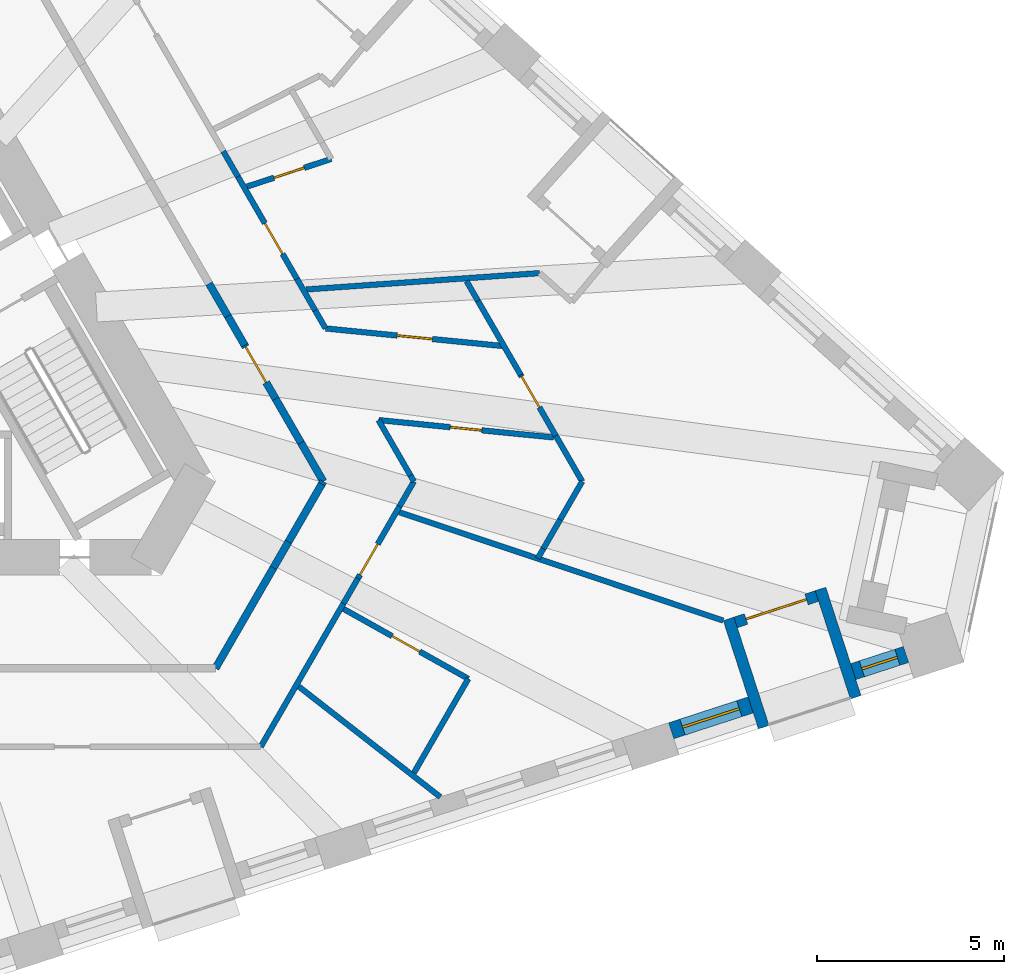
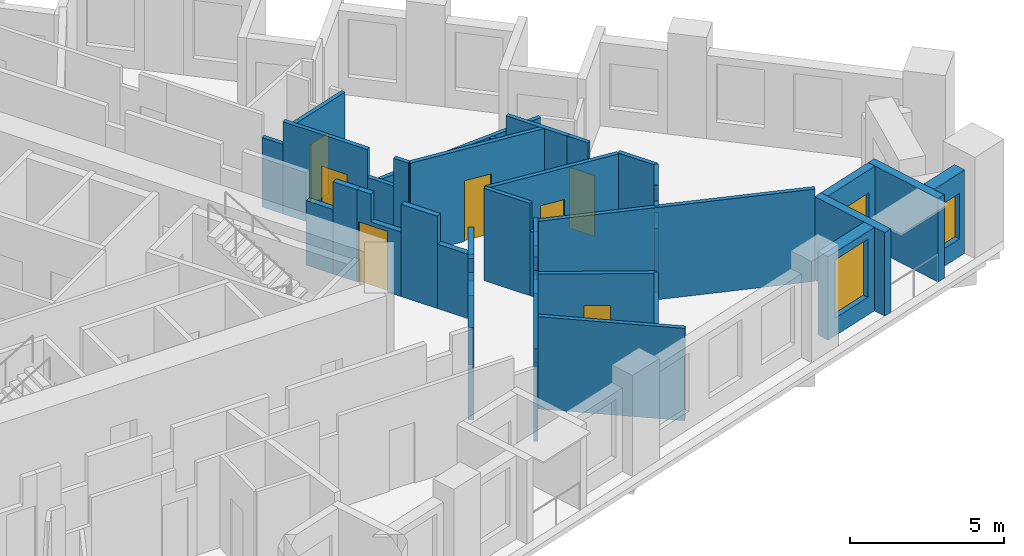
# One storey, part 6 of 13: 39 walls, 9 doors, 2 windows, 11 openings.
"""IFC4 building model written with IfcOpenShell, lengths in metres."""

import ifcopenshell
import ifcopenshell.guid

model = None  # the IFC model being written
_history = None  # IfcOwnerHistory: only IFC2X3 demands one
_inside = {}  # id of a spatial element -> (the spatial element, [elements in it])
_under = {}  # id of a project, library or spatial element -> (it, [spatial elements below it])
_declared = {}  # id of a project -> (the project, [libraries it declares])
_typed = {}  # id of a type object -> (the type object, [elements of that type])
_made_of = {}  # id of a material, layer set ... -> (it, [elements and type objects made of it])


def new_model(schema):
    """Start an empty IFC model of exactly this schema.

    Asked for "IFC4X3", IfcOpenShell would pick the latest addendum, in which some entities
    have other attributes; the version numbers below select the first issue.
    IFC2X3 requires an IfcOwnerHistory on every rooted entity: one is made here for all.
    """
    global model, _history
    if schema == "IFC4X3":
        model = ifcopenshell.file(schema_version=(4, 3, 0, 0))
    else:
        model = ifcopenshell.file(schema=schema)
    _inside.clear()
    _under.clear()
    _declared.clear()
    _typed.clear()
    _made_of.clear()
    _history = None
    if model.schema == "IFC2X3":
        org = make("IfcOrganization", Name="unknown")
        user = make(
            "IfcPersonAndOrganization",
            ThePerson=make("IfcPerson", FamilyName="unknown"),
            TheOrganization=org,
        )
        app = make(
            "IfcApplication",
            ApplicationDeveloper=org,
            Version="unknown",
            ApplicationFullName="unknown",
            ApplicationIdentifier="unknown",
        )
        _history = make(
            "IfcOwnerHistory",
            OwningUser=user,
            OwningApplication=app,
            ChangeAction="ADDED",
            CreationDate=0,
        )
    return model


def make(cls, **values):
    """One entity of the class cls with the attributes given. An attribute that is None is left unset."""
    return model.create_entity(
        cls, **{name: value for name, value in values.items() if value is not None}
    )


def rooted(cls, **values):
    """An entity with a GlobalId (a new one), such as an element, a storey or a relation."""
    return make(cls, GlobalId=ifcopenshell.guid.new(), OwnerHistory=_history, **values)


def si_unit(unit_type, name, prefix=None):
    """IfcSIUnit, for example si_unit("LENGTHUNIT", "METRE", prefix="MILLI")."""
    return make("IfcSIUnit", UnitType=unit_type, Prefix=prefix, Name=name)


def assignment(units):
    """IfcUnitAssignment: the units of a project."""
    return None if units is None else make("IfcUnitAssignment", Units=units)


def point(xyz):
    """IfcCartesianPoint."""
    return None if xyz is None else make("IfcCartesianPoint", Coordinates=xyz)


def direction(xyz):
    """IfcDirection."""
    return None if xyz is None else make("IfcDirection", DirectionRatios=xyz)


def frame(location, z_axis=None, x_axis=None):
    """IfcAxis2Placement3D, a coordinate frame: its origin and axes. An axis left out is left unset."""
    return make(
        "IfcAxis2Placement3D",
        Location=point(location),
        Axis=direction(z_axis),
        RefDirection=direction(x_axis),
    )


def frame_2d(location, x_axis=None):
    """IfcAxis2Placement2D, a coordinate frame in the plane: its origin and x axis."""
    return make(
        "IfcAxis2Placement2D", Location=point(location), RefDirection=direction(x_axis)
    )


def origin():
    """The frame at (0, 0, 0) with its axes left unset."""
    return frame((0.0, 0.0, 0.0))


def place(relative_to, where):
    """IfcLocalPlacement: puts the frame where relative to a parent placement (None: the world)."""
    return make(
        "IfcLocalPlacement", PlacementRelTo=relative_to, RelativePlacement=where
    )


def context(
    kind, dimensions, precision=None, world=None, true_north=None, identifier=None
):
    """IfcGeometricRepresentationContext, for example the 3D "Model" context."""
    return make(
        "IfcGeometricRepresentationContext",
        ContextIdentifier=identifier,
        ContextType=kind,
        CoordinateSpaceDimension=dimensions,
        Precision=precision,
        WorldCoordinateSystem=world,
        TrueNorth=true_north,
    )


def subcontext(parent, identifier, kind, view, scale=None):
    """IfcGeometricRepresentationSubContext, for example "Body" below "Model"."""
    return make(
        "IfcGeometricRepresentationSubContext",
        ContextIdentifier=identifier,
        ContextType=kind,
        ParentContext=parent,
        TargetScale=scale,
        TargetView=view,
    )


def project(units=None, contexts=None):
    """IfcProject with its units and contexts."""
    return rooted(
        "IfcProject",
        Name="project",
        RepresentationContexts=contexts,
        UnitsInContext=assignment(units),
    )


def spatial(cls, under=None, at=None, **own):
    """A site, building, storey or space (cls), placed at a placement, below another one or the project."""
    s = rooted(cls, ObjectPlacement=at, **own)
    if under is not None:
        _under.setdefault(under.id(), (under, []))[1].append(s)
    return s


def polyline(points):
    """IfcPolyline through the points."""
    return make("IfcPolyline", Points=[point(p) for p in points])


def profile(cls, at=None, kind="AREA", **sizes):
    """A parametric profile (cls). Its sizes go by their IFC names, for example OverallWidth=200.0."""
    return make(cls, ProfileType=kind, Position=at, **sizes)


def rectangle(**sizes):
    """IfcRectangleProfileDef."""
    return profile("IfcRectangleProfileDef", **sizes)


def outline(outer, holes=None, kind="AREA"):
    """IfcArbitraryClosedProfileDef: a profile drawn as a closed curve; with holes, ...WithVoids."""
    if holes is None:
        return make("IfcArbitraryClosedProfileDef", ProfileType=kind, OuterCurve=outer)
    return make(
        "IfcArbitraryProfileDefWithVoids",
        ProfileType=kind,
        OuterCurve=outer,
        InnerCurves=holes,
    )


def extrude(swept, where, along, depth):
    """IfcExtrudedAreaSolid: the profile swept, set in the frame where, extruded along a direction by depth."""
    return make(
        "IfcExtrudedAreaSolid",
        SweptArea=swept,
        Position=where,
        ExtrudedDirection=direction(along),
        Depth=depth,
    )


def shape(context_of_items, identifier, shape_type, items):
    """IfcShapeRepresentation: the items that make up one representation, for example the "Body"."""
    return make(
        "IfcShapeRepresentation",
        ContextOfItems=context_of_items,
        RepresentationIdentifier=identifier,
        RepresentationType=shape_type,
        Items=items,
    )


def material(Name=None, Category=None):
    """IfcMaterial."""
    return make("IfcMaterial", Name=Name, Category=Category)


def layer(
    of_material, thickness, ventilated=None, Name=None, Category=None, Priority=None
):
    """IfcMaterialLayer: one layer of a wall or slab, of a material (None: an air gap)."""
    return make(
        "IfcMaterialLayer",
        Material=of_material,
        LayerThickness=thickness,
        IsVentilated=ventilated,
        Name=Name,
        Category=Category,
        Priority=Priority,
    )


def layer_set(layers, Name=None):
    """IfcMaterialLayerSet."""
    return make("IfcMaterialLayerSet", MaterialLayers=layers, LayerSetName=Name)


def made_of(thing, what):
    """Note that an element or type object is made of a material, layer set ...; save() writes the relation."""
    if what is not None:
        _made_of.setdefault(what.id(), (what, []))[1].append(thing)
    return thing


def type_object(cls, material=None, **own):
    """A type object (cls), such as IfcWallType, which elements share."""
    return made_of(rooted(cls, **own), material)


def element(
    cls,
    number,
    at=None,
    inside=None,
    cuts=None,
    type_object=None,
    material=None,
    context=None,
    identifier="Body",
    shape_type=None,
    held_by="IfcProductDefinitionShape",
    body=None,
    shapes=None,
    **own,
):
    """One element of the class cls, such as IfcWall. Its Tag is "e" and its number.

    at: its placement. inside: the storey or other place that contains it. cuts: it is an
    opening in that element (IfcRelVoidsElement). A single representation is given by context,
    identifier, shape_type and body (its items); several are given by shapes. held_by: the class
    of the entity that holds the representations. save() writes the other relations.
    """
    e = rooted(cls, Tag="e%d" % number, ObjectPlacement=at, **own)
    if body is not None:
        shapes = [shape(context, identifier, shape_type, body)]
    if shapes is not None:
        e.Representation = make(held_by, Representations=shapes)
    if inside is not None:
        _inside.setdefault(inside.id(), (inside, []))[1].append(e)
    if cuts is not None:
        rooted(
            "IfcRelVoidsElement", RelatingBuildingElement=cuts, RelatedOpeningElement=e
        )
    if type_object is not None:
        _typed.setdefault(type_object.id(), (type_object, []))[1].append(e)
    return made_of(e, material)


def fill(opening, filler):
    """IfcRelFillsElement: the door or window that sits in an opening."""
    return rooted(
        "IfcRelFillsElement",
        RelatingOpeningElement=opening,
        RelatedBuildingElement=filler,
    )


def aggregate(whole, parts):
    """IfcRelAggregates: a whole, such as a stair, and the parts it consists of."""
    return rooted("IfcRelAggregates", RelatingObject=whole, RelatedObjects=parts)


def save(model, path):
    """Write the relations noted so far, then the file.

    IfcRelAggregates (storeys below a building ...), IfcRelContainedInSpatialStructure (elements
    in a storey), IfcRelDefinesByType, IfcRelAssociatesMaterial and IfcRelDeclares: one each for
    every whole, place, type object, material and project.
    """
    for whole, parts in _under.values():
        aggregate(whole, parts)
    for where, things in _inside.values():
        rooted(
            "IfcRelContainedInSpatialStructure",
            RelatedElements=things,
            RelatingStructure=where,
        )
    for kind, things in _typed.values():
        rooted("IfcRelDefinesByType", RelatedObjects=things, RelatingType=kind)
    for what, things in _made_of.values():
        rooted("IfcRelAssociatesMaterial", RelatedObjects=things, RelatingMaterial=what)
    for by, libraries in _declared.values():
        rooted("IfcRelDeclares", RelatingContext=by, RelatedDefinitions=libraries)
    model.write(path)


model = new_model("IFC4")

# Units and contexts
model_context = context("Model", 3, precision=1e-05, world=origin(), true_north=direction((0.0, 1.0)))
body_context = subcontext(model_context, "Body", "Model", "MODEL_VIEW")
ifc_project = project(units=[si_unit("LENGTHUNIT", "METRE"), si_unit("AREAUNIT", "SQUARE_METRE"), si_unit("VOLUMEUNIT", "CUBIC_METRE"), si_unit("PLANEANGLEUNIT", "RADIAN"), si_unit("MASSUNIT", "GRAM", prefix="KILO")], contexts=[model_context])

# Site, building, storey
site_placement = place(None, origin())
site = spatial("IfcSite", under=ifc_project, at=site_placement, CompositionType="ELEMENT")
building_placement = place(site_placement, origin())
building = spatial("IfcBuilding", under=site, at=building_placement, Name="Tramontana Tower", CompositionType="ELEMENT")
storey_placement = place(building_placement, frame((0.0, 0.0, 108.39990234375)))
storey = spatial("IfcBuildingStorey", under=building, at=storey_placement, Name="L24", CompositionType="ELEMENT", Elevation=108.39990234375)

# Walls
ifc_material_1 = material(Name="Blockwork", Category="masonry")
ifc_layer_1 = layer(ifc_material_1, 0.199951171875)
ifc_layer_set_1 = layer_set([ifc_layer_1], Name="ENTRY WALL 200")
wall_type_1 = type_object("IfcWallType", Name="ENTRY WALL 200", PredefinedType="SOLIDWALL", material=ifc_layer_set_1)
wall_1_placement = place(storey_placement, frame((10.077392578125, 1.04541015625, 0.0), z_axis=(0.0, 0.0, 1.0), x_axis=(0.500051323872, -0.865995769906, 0.0)))
element("IfcWall", 1, at=wall_1_placement, inside=storey, type_object=wall_type_1, Name="Wall v21-ew0-7", PredefinedType="SOLIDWALL", context=body_context, shape_type="SweptSolid", body=[
    extrude(rectangle(XDim=1.0068359375, YDim=0.199951171875, at=frame_2d((0.50341796875, 0.0))), origin(), (0.0, 0.0, 1.0), 2.550048828125),
])
wall_2_placement = place(storey_placement, frame((10.580810546875, 0.173583984375, 0.0), z_axis=(0.0, 0.0, 1.0), x_axis=(0.499902469156, -0.866081705922, 0.0)))
element("IfcWall", 2, at=wall_2_placement, inside=storey, type_object=wall_type_1, Name="Wall v21-ew0-8", PredefinedType="SOLIDWALL", context=body_context, shape_type="SweptSolid", body=[
    extrude(rectangle(XDim=0.900146484375, YDim=0.199951171875, at=frame_2d((0.4501953125, 0.0))), origin(), (0.0, 0.0, 1.0), 3.650146484375),
])

# Wall, opening, door
wall_3_placement = place(storey_placement, frame((11.03076171875, -0.60595703125, 0.0), z_axis=(0.0, 0.0, 1.0), x_axis=(0.49997779057, -0.866038226025, 0.0)))
wall_3 = element("IfcWall", 3, at=wall_3_placement, inside=storey, type_object=wall_type_1, Name="Wall v21-ew0-9", PredefinedType="SOLIDWALL", context=body_context, shape_type="SweptSolid", body=[
    extrude(outline(polyline([(0.0, 0.0), (1.6552734375, 0.0), (1.655517578125, 2.550048828125), (0.519287109375, 2.550048828125), (0.519287109375, 3.650146484375), (0.0, 3.650146484375), (0.0, 0.0)])), frame((0.0, 0.10009765625, 0.0), z_axis=(0.0, -1.0, 0.0), x_axis=(1.0, 0.0, 0.0)), (0.0, 0.0, 1.0), 0.199951171875),
])
opening_1_placement = place(wall_3_placement, frame((0.050048828125, 0.0, 0.0)))
opening_1 = element("IfcOpeningElement", 4, at=opening_1_placement, cuts=wall_3, Name="Opening B2B-28", PredefinedType="OPENING", context=body_context, shape_type="SweptSolid", body=[
    extrude(rectangle(XDim=1.10009765625, YDim=2.39990234375, at=frame_2d((0.550048828125, 1.199951171875))), frame((0.0, 0.10986328125, 0.0), z_axis=(0.0, -1.0, 0.0), x_axis=(1.0, 0.0, 0.0)), (0.0, 0.0, 1.0), 0.219970703125),
])
ifc_material_2 = material(Name="Painted timber", Category="wood")
door_type_1 = type_object("IfcDoorType", Name="DOOR ENTRY 1100", OperationType="SINGLE_SWING_LEFT", PredefinedType="DOOR", material=ifc_material_2)
door_1_placement = place(opening_1_placement, origin())
door_1 = element("IfcDoor", 5, at=door_1_placement, inside=storey, type_object=door_type_1, Name="Door B2B-28", OperationType="SINGLE_SWING_RIGHT", OverallHeight=2.39990234375, OverallWidth=1.10009765625, PredefinedType="DOOR", context=body_context, shape_type="SweptSolid", body=[
    extrude(rectangle(XDim=1.10009765625, YDim=2.39990234375, at=frame_2d((0.550048828125, 1.199951171875))), frame((0.0, 0.02490234375, 0.0), z_axis=(0.0, -1.0, 0.0), x_axis=(1.0, 0.0, 0.0)), (0.0, 0.0, 1.0), 0.050048828125),
])
fill(opening_1, door_1)

# Walls
wall_4_placement = place(storey_placement, frame((11.8583984375, -2.03955078125, 0.0), z_axis=(0.0, 0.0, 1.0), x_axis=(0.500038357328, -0.866003257038, 0.0)))
element("IfcWall", 6, at=wall_4_placement, inside=storey, type_object=wall_type_1, Name="Wall v21-ew0-10", PredefinedType="SOLIDWALL", context=body_context, shape_type="SweptSolid", body=[
    extrude(rectangle(XDim=1.3603515625, YDim=0.199951171875, at=frame_2d((0.68017578125, 0.0))), origin(), (0.0, 0.0, 1.0), 3.650146484375),
])
wall_5_placement = place(storey_placement, frame((12.53857421875, -3.217529296875, 0.0), z_axis=(0.0, 0.0, 1.0), x_axis=(0.500059236744, -0.865991200733, 0.0)))
element("IfcWall", 7, at=wall_5_placement, inside=storey, type_object=wall_type_1, Name="Wall v21-ew0-11", PredefinedType="SOLIDWALL", context=body_context, shape_type="SweptSolid", body=[
    extrude(rectangle(XDim=1.192138671875, YDim=0.199951171875, at=frame_2d((0.59619140625, 0.0))), origin(), (0.0, 0.0, 1.0), 2.550048828125),
])
wall_6_placement = place(storey_placement, frame((13.134765625, -4.25, 0.0), z_axis=(0.0, 0.0, 1.0), x_axis=(-0.501397775159, -0.865216892499, 0.0)))
element("IfcWall", 8, at=wall_6_placement, inside=storey, type_object=wall_type_1, Name="Wall v21-ew1-0", PredefinedType="SOLIDWALL", context=body_context, shape_type="SweptSolid", body=[
    extrude(rectangle(XDim=0.079833984375, YDim=0.199951171875, at=frame_2d((0.0400390625, 0.0))), origin(), (0.0, 0.0, 1.0), 2.550048828125),
])
wall_7_placement = place(storey_placement, frame((13.0947265625, -4.319091796875, 0.0), z_axis=(0.0, 0.0, 1.0), x_axis=(-0.499986405537, -0.866033252409, 0.0)))
element("IfcWall", 9, at=wall_7_placement, inside=storey, type_object=wall_type_1, Name="Wall v21-ew1-1", PredefinedType="SOLIDWALL", context=body_context, shape_type="SweptSolid", body=[
    extrude(rectangle(XDim=1.7880859375, YDim=0.199951171875, at=frame_2d((0.89404296875, 0.0))), origin(), (0.0, 0.0, 1.0), 3.650146484375),
])
wall_8_placement = place(storey_placement, frame((12.20068359375, -5.86767578125, 0.0), z_axis=(0.0, 0.0, 1.0), x_axis=(-0.499942357345, -0.866058681229, 0.0)))
element("IfcWall", 10, at=wall_8_placement, inside=storey, type_object=wall_type_1, Name="Wall v21-ew1-2", PredefinedType="SOLIDWALL", context=body_context, shape_type="SweptSolid", body=[
    extrude(rectangle(XDim=0.80078125, YDim=0.199951171875, at=frame_2d((0.400390625, 0.0))), origin(), (0.0, 0.0, 1.0), 2.75),
])
wall_9_placement = place(storey_placement, frame((11.80029296875, -6.561279296875, 0.0), z_axis=(0.0, 0.0, 1.0), x_axis=(-0.499978855264, -0.866037611359, 0.0)))
element("IfcWall", 11, at=wall_9_placement, inside=storey, type_object=wall_type_1, Name="Wall v21-ew1-3", PredefinedType="SOLIDWALL", context=body_context, shape_type="SweptSolid", body=[
    extrude(rectangle(XDim=3.104736328125, YDim=0.199951171875, at=frame_2d((1.55224609375, 0.0))), origin(), (0.0, 0.0, 1.0), 3.650146484375),
])

# Wall, opening, window
ifc_material_3 = material(Name="Precast concrete 60 MPa", Category="concrete")
ifc_layer_2 = layer(ifc_material_3, 0.449951171875)
ifc_layer_set_2 = layer_set([ifc_layer_2], Name="Precast concrete 60 MPa, 450 mm")
wall_type_2 = type_object("IfcWallType", Name="EW1 Stone-faced precast wall 450", PredefinedType="SOLIDWALL", material=ifc_layer_set_2)
wall_10_placement = place(storey_placement, frame((22.444580078125, -10.923828125, 0.0), z_axis=(0.0, 0.0, 1.0), x_axis=(0.951067749801, 0.30898241906, 0.0)))
wall_10 = element("IfcWall", 12, at=wall_10_placement, inside=storey, type_object=wall_type_2, Name="External wall L24 face 1 bay 6", PredefinedType="SOLIDWALL", context=body_context, shape_type="SweptSolid", body=[
    extrude(rectangle(XDim=2.23681640625, YDim=0.449951171875, at=frame_2d((1.118408203125, 0.0))), origin(), (0.0, 0.0, 1.0), 3.300048828125),
])
opening_2_placement = place(wall_10_placement, frame((0.318359375, 0.0, 0.699951171875)))
opening_2 = element("IfcOpeningElement", 13, at=opening_2_placement, cuts=wall_10, Name="Opening M1", PredefinedType="OPENING", context=body_context, shape_type="SweptSolid", body=[
    extrude(rectangle(XDim=1.60009765625, YDim=2.300048828125, at=frame_2d((0.800048828125, 1.14990234375))), frame((0.0, 0.23486328125, 0.0), z_axis=(0.0, -1.0, 0.0), x_axis=(1.0, 0.0, 0.0)), (0.0, 0.0, 1.0), 0.469970703125),
])
ifc_material_4 = material(Name="Aluminum frame, double glazing unit", Category="aluminium")
window_type_1 = type_object("IfcWindowType", Name="M1 Window 1.6 x 2.3", PartitioningType="SINGLE_PANEL", PredefinedType="WINDOW", material=ifc_material_4)
window_1_placement = place(opening_2_placement, origin())
window_1 = element("IfcWindow", 14, at=window_1_placement, inside=storey, type_object=window_type_1, Name="Window M1 L24 face 1 module 16", OverallHeight=2.300048828125, OverallWidth=1.60009765625, PartitioningType="SINGLE_PANEL", PredefinedType="WINDOW", context=body_context, shape_type="SweptSolid", body=[
    extrude(rectangle(XDim=1.60009765625, YDim=2.300048828125, at=frame_2d((0.800048828125, 1.14990234375))), frame((0.0, 0.030029296875, 0.0), z_axis=(0.0, -1.0, 0.0), x_axis=(1.0, 0.0, 0.0)), (0.0, 0.0, 1.0), 0.06005859375),
])
fill(opening_2, window_1)

wall_11_placement = place(storey_placement, frame((27.3173828125, -9.340576171875, 0.0), z_axis=(0.0, 0.0, 1.0), x_axis=(0.951053373744, 0.309026665985, 0.0)))
wall_11 = element("IfcWall", 15, at=wall_11_placement, inside=storey, type_object=wall_type_2, Name="External wall L24 face 1 bay 6", PredefinedType="SOLIDWALL", context=body_context, shape_type="SweptSolid", body=[
    extrude(rectangle(XDim=1.48681640625, YDim=0.449951171875, at=frame_2d((0.743408203125, 0.0))), origin(), (0.0, 0.0, 1.0), 3.300048828125),
])
opening_3_placement = place(wall_11_placement, frame((0.243408203125, 0.0, 0.699951171875)))
opening_3 = element("IfcOpeningElement", 16, at=opening_3_placement, cuts=wall_11, Name="Opening N1L", PredefinedType="OPENING", context=body_context, shape_type="SweptSolid", body=[
    extrude(rectangle(XDim=1.0, YDim=1.800048828125, at=frame_2d((0.5, 0.89990234375))), frame((0.0, 0.23486328125, 0.0), z_axis=(0.0, -1.0, 0.0), x_axis=(1.0, 0.0, 0.0)), (0.0, 0.0, 1.0), 0.469970703125),
])
ifc_material_5 = material(Name="Aluminum frame, double glazing unit", Category="aluminium")
window_type_2 = type_object("IfcWindowType", Name="N1L Window 1 x 1.8", PartitioningType="SINGLE_PANEL", PredefinedType="WINDOW", material=ifc_material_5)
window_2_placement = place(opening_3_placement, origin())
window_2 = element("IfcWindow", 17, at=window_2_placement, inside=storey, type_object=window_type_2, Name="Window N1L L24 face 1 module 18", OverallHeight=1.800048828125, OverallWidth=1.0, PartitioningType="SINGLE_PANEL", PredefinedType="WINDOW", context=body_context, shape_type="SweptSolid", body=[
    extrude(rectangle(XDim=1.0, YDim=1.800048828125, at=frame_2d((0.5, 0.89990234375))), frame((0.0, 0.030029296875, 0.0), z_axis=(0.0, -1.0, 0.0), x_axis=(1.0, 0.0, 0.0)), (0.0, 0.0, 1.0), 0.06005859375),
])
fill(opening_3, window_2)

# Wall, opening, door
ifc_material_6 = material(Name="Precast concrete 60 MPa", Category="concrete")
ifc_layer_3 = layer(ifc_material_6, 0.300048828125)
ifc_layer_set_3 = layer_set([ifc_layer_3], Name="LW1 Stone-faced loggia wall 300")
wall_type_3 = type_object("IfcWallType", Name="LW1 Stone-faced loggia wall 300", PredefinedType="SOLIDWALL", material=ifc_layer_set_3)
wall_12_placement = place(storey_placement, frame((24.169677734375, -8.02392578125, 0.0), z_axis=(0.0, 0.0, 1.0), x_axis=(0.95103720697, 0.309076416051, 0.0)))
wall_12 = element("IfcWall", 18, at=wall_12_placement, inside=storey, type_object=wall_type_3, Name="Loggia wall L24 G2S1.16", PredefinedType="SOLIDWALL", context=body_context, shape_type="SweptSolid", body=[
    extrude(rectangle(XDim=2.286865234375, YDim=0.300048828125, at=frame_2d((1.1435546875, 0.0))), origin(), (0.0, 0.0, 1.0), 3.300048828125),
])
opening_4_placement = place(wall_12_placement, frame((0.29345703125, 0.0, 0.0)))
opening_4 = element("IfcOpeningElement", 19, at=opening_4_placement, cuts=wall_12, Name="Opening BD-2S1-16", PredefinedType="OPENING", context=body_context, shape_type="SweptSolid", body=[
    extrude(rectangle(XDim=1.699951171875, YDim=2.39990234375, at=frame_2d((0.85009765625, 1.199951171875))), frame((0.0, 0.159912109375, 0.0), z_axis=(0.0, -1.0, 0.0), x_axis=(1.0, 0.0, 0.0)), (0.0, 0.0, 1.0), 0.320068359375),
])
ifc_material_7 = material(Name="Aluminum frame, double glazing unit", Category="aluminium")
door_type_2 = type_object("IfcDoorType", Name="BD1 Sliding door 1.7 x 2.4", OperationType="SLIDING_TO_LEFT", PredefinedType="DOOR", material=ifc_material_7)
door_2_placement = place(opening_4_placement, origin())
door_2 = element("IfcDoor", 20, at=door_2_placement, inside=storey, type_object=door_type_2, Name="Loggia door L24 G2S1.16", OperationType="SLIDING_TO_LEFT", OverallHeight=2.39990234375, OverallWidth=1.699951171875, PredefinedType="DOOR", context=body_context, shape_type="SweptSolid", body=[
    extrude(rectangle(XDim=1.699951171875, YDim=2.39990234375, at=frame_2d((0.85009765625, 1.199951171875))), frame((0.0, 0.02490234375, 0.0), z_axis=(0.0, -1.0, 0.0), x_axis=(1.0, 0.0, 0.0)), (0.0, 0.0, 1.0), 0.050048828125),
])
fill(opening_4, door_2)

# Walls
wall_13_placement = place(storey_placement, frame((24.923095703125, -10.828369140625, 0.0), z_axis=(0.0, 0.0, 1.0), x_axis=(-0.308966615996, 0.951072883748, 0.0)))
element("IfcWall", 21, at=wall_13_placement, inside=storey, type_object=wall_type_3, Name="Loggia return L24 G2S1.16a", PredefinedType="SOLIDWALL", context=body_context, shape_type="SweptSolid", body=[
    extrude(rectangle(XDim=3.050048828125, YDim=0.300048828125, at=frame_2d((1.52490234375, 0.0))), origin(), (0.0, 0.0, 1.0), 3.300048828125),
])
wall_14_placement = place(storey_placement, frame((27.38330078125, -10.02880859375, 0.0), z_axis=(0.0, 0.0, 1.0), x_axis=(-0.308990138358, 0.951065241925, 0.0)))
element("IfcWall", 22, at=wall_14_placement, inside=storey, type_object=wall_type_3, Name="Loggia return L24 G2S1.16b", PredefinedType="SOLIDWALL", context=body_context, shape_type="SweptSolid", body=[
    extrude(rectangle(XDim=3.0498046875, YDim=0.300048828125, at=frame_2d((1.52490234375, 0.0))), origin(), (0.0, 0.0, 1.0), 3.300048828125),
])
ifc_material_8 = material(Name="Gypsum board partition")
ifc_layer_4 = layer(ifc_material_8, 0.14990234375)
ifc_layer_set_4 = layer_set([ifc_layer_4], Name="PARTITION 150")
wall_type_4 = type_object("IfcWallType", Name="PARTITION 150", PredefinedType="PARTITIONING", material=ifc_layer_set_4)
wall_15_placement = place(storey_placement, frame((10.4580078125, 4.58642578125, 0.0), z_axis=(0.0, 0.0, 1.0), x_axis=(0.49979442921, -0.866144057608, 0.0)))
element("IfcWall", 23, at=wall_15_placement, inside=storey, type_object=wall_type_4, Name="Wall v21-pw40-4", PredefinedType="PARTITIONING", context=body_context, shape_type="SweptSolid", body=[
    extrude(rectangle(XDim=0.782958984375, YDim=0.14990234375, at=frame_2d((0.3916015625, 0.0))), origin(), (0.0, 0.0, 1.0), 2.75),
])

# Wall, opening, door
wall_16_placement = place(storey_placement, frame((10.849365234375, 3.908203125, 0.0), z_axis=(0.0, 0.0, 1.0), x_axis=(0.500027861653, -0.866009317254, 0.0)))
wall_16 = element("IfcWall", 24, at=wall_16_placement, inside=storey, type_object=wall_type_4, Name="Wall v21-pw40-5", PredefinedType="PARTITIONING", context=body_context, shape_type="SweptSolid", body=[
    extrude(rectangle(XDim=3.159912109375, YDim=0.14990234375, at=frame_2d((1.580078125, 0.0))), origin(), (0.0, 0.0, 1.0), 3.650146484375),
])
opening_5_placement = place(wall_16_placement, frame((1.440673828125, 0.0, 0.0)))
opening_5 = element("IfcOpeningElement", 25, at=opening_5_placement, cuts=wall_16, Name="Opening B2B-22", PredefinedType="OPENING", context=body_context, shape_type="SweptSolid", body=[
    extrude(rectangle(XDim=0.949951171875, YDim=2.39990234375, at=frame_2d((0.47509765625, 1.199951171875))), frame((0.0, 0.0849609375, 0.0), z_axis=(0.0, -1.0, 0.0), x_axis=(1.0, 0.0, 0.0)), (0.0, 0.0, 1.0), 0.169921875),
])
ifc_material_9 = material(Name="Painted timber", Category="wood")
door_type_3 = type_object("IfcDoorType", Name="DOOR ROOM 950", OperationType="SINGLE_SWING_LEFT", PredefinedType="DOOR", material=ifc_material_9)
door_3_placement = place(opening_5_placement, origin())
door_3 = element("IfcDoor", 26, at=door_3_placement, inside=storey, type_object=door_type_3, Name="Door B2B-22", OperationType="SINGLE_SWING_RIGHT", OverallHeight=2.39990234375, OverallWidth=0.949951171875, PredefinedType="DOOR", context=body_context, shape_type="SweptSolid", body=[
    extrude(rectangle(XDim=0.949951171875, YDim=2.39990234375, at=frame_2d((0.47509765625, 1.199951171875))), frame((0.0, 0.02490234375, 0.0), z_axis=(0.0, -1.0, 0.0), x_axis=(1.0, 0.0, 0.0)), (0.0, 0.0, 1.0), 0.050048828125),
])
fill(opening_5, door_3)

# Walls
wall_17_placement = place(storey_placement, frame((12.429443359375, 1.171630859375, 0.0), z_axis=(0.0, 0.0, 1.0), x_axis=(0.499895202697, -0.866085900082, 0.0)))
element("IfcWall", 27, at=wall_17_placement, inside=storey, type_object=wall_type_4, Name="Wall v21-pw40-6", PredefinedType="PARTITIONING", context=body_context, shape_type="SweptSolid", body=[
    extrude(rectangle(XDim=0.978759765625, YDim=0.14990234375, at=frame_2d((0.4892578125, 0.0))), origin(), (0.0, 0.0, 1.0), 2.550048828125),
])
wall_18_placement = place(storey_placement, frame((12.918701171875, 0.323974609375, 0.0), z_axis=(0.0, 0.0, 1.0), x_axis=(0.499990325971, -0.866030989016, 0.0)))
element("IfcWall", 28, at=wall_18_placement, inside=storey, type_object=wall_type_4, Name="Wall v21-pw40-7", PredefinedType="PARTITIONING", context=body_context, shape_type="SweptSolid", body=[
    extrude(rectangle(XDim=0.55224609375, YDim=0.14990234375, at=frame_2d((0.276123046875, 0.0))), origin(), (0.0, 0.0, 1.0), 3.650146484375),
])
wall_19_placement = place(storey_placement, frame((12.6796875, 0.88818359375, 0.0), z_axis=(0.0, 0.0, 1.0), x_axis=(0.997556875713, 0.069858998838, 0.0)))
element("IfcWall", 29, at=wall_19_placement, inside=storey, type_object=wall_type_4, Name="Wall v21-pw46-0", PredefinedType="PARTITIONING", context=body_context, shape_type="SweptSolid", body=[
    extrude(rectangle(XDim=6.2626953125, YDim=0.14990234375, at=frame_2d((3.13134765625, 0.0))), origin(), (0.0, 0.0, 1.0), 2.550048828125),
])

# Wall, opening, door
wall_20_placement = place(storey_placement, frame((13.1962890625, -0.1552734375, 0.0), z_axis=(0.0, 0.0, 1.0), x_axis=(0.995106998525, -0.098803145129, 0.0)))
wall_20 = element("IfcWall", 30, at=wall_20_placement, inside=storey, type_object=wall_type_4, Name="Wall v21-pw48", PredefinedType="PARTITIONING", context=body_context, shape_type="SweptSolid", body=[
    extrude(rectangle(XDim=4.796142578125, YDim=0.14990234375, at=frame_2d((2.39794921875, 0.0))), origin(), (0.0, 0.0, 1.0), 3.650146484375),
])
opening_6_placement = place(wall_20_placement, frame((1.923095703125, 0.0, 0.0)))
opening_6 = element("IfcOpeningElement", 31, at=opening_6_placement, cuts=wall_20, Name="Opening B2B-17", PredefinedType="OPENING", context=body_context, shape_type="SweptSolid", body=[
    extrude(rectangle(XDim=0.949951171875, YDim=2.39990234375, at=frame_2d((0.47509765625, 1.199951171875))), frame((0.0, 0.0849609375, 0.0), z_axis=(0.0, -1.0, 0.0), x_axis=(1.0, 0.0, 0.0)), (0.0, 0.0, 1.0), 0.169921875),
])
door_4_placement = place(opening_6_placement, origin())
door_4 = element("IfcDoor", 32, at=door_4_placement, inside=storey, type_object=door_type_3, Name="Door B2B-17", OperationType="SINGLE_SWING_LEFT", OverallHeight=2.39990234375, OverallWidth=0.949951171875, PredefinedType="DOOR", context=body_context, shape_type="SweptSolid", body=[
    extrude(rectangle(XDim=0.949951171875, YDim=2.39990234375, at=frame_2d((0.47509765625, 1.199951171875))), frame((0.0, 0.02490234375, 0.0), z_axis=(0.0, -1.0, 0.0), x_axis=(1.0, 0.0, 0.0)), (0.0, 0.0, 1.0), 0.050048828125),
])
fill(opening_6, door_4)

wall_21_placement = place(storey_placement, frame((11.0908203125, 3.64013671875, 0.0), z_axis=(0.0, 0.0, 1.0), x_axis=(0.950142716329, 0.311815359799, 0.0)))
wall_21 = element("IfcWall", 33, at=wall_21_placement, inside=storey, type_object=wall_type_4, Name="Wall v21-pw49", PredefinedType="PARTITIONING", context=body_context, shape_type="SweptSolid", body=[
    extrude(rectangle(XDim=2.37548828125, YDim=0.14990234375, at=frame_2d((1.187744140625, 0.0))), origin(), (0.0, 0.0, 1.0), 3.650146484375),
])
opening_7_placement = place(wall_21_placement, frame((0.7626953125, 0.0, 0.0)))
opening_7 = element("IfcOpeningElement", 34, at=opening_7_placement, cuts=wall_21, Name="Opening B2B-25", PredefinedType="OPENING", context=body_context, shape_type="SweptSolid", body=[
    extrude(rectangle(XDim=0.85009765625, YDim=2.39990234375, at=frame_2d((0.425048828125, 1.199951171875))), frame((0.0, 0.0849609375, 0.0), z_axis=(0.0, -1.0, 0.0), x_axis=(1.0, 0.0, 0.0)), (0.0, 0.0, 1.0), 0.169921875),
])
ifc_material_10 = material(Name="Painted timber", Category="wood")
door_type_4 = type_object("IfcDoorType", Name="DOOR BATH 850", OperationType="SINGLE_SWING_LEFT", PredefinedType="DOOR", material=ifc_material_10)
door_5_placement = place(opening_7_placement, origin())
door_5 = element("IfcDoor", 35, at=door_5_placement, inside=storey, type_object=door_type_4, Name="Door B2B-25", OperationType="SINGLE_SWING_LEFT", OverallHeight=2.39990234375, OverallWidth=0.85009765625, PredefinedType="DOOR", context=body_context, shape_type="SweptSolid", body=[
    extrude(rectangle(XDim=0.85009765625, YDim=2.39990234375, at=frame_2d((0.425048828125, 1.199951171875))), frame((0.0, 0.02490234375, 0.0), z_axis=(0.0, -1.0, 0.0), x_axis=(1.0, 0.0, 0.0)), (0.0, 0.0, 1.0), 0.050048828125),
])
fill(opening_7, door_5)

wall_22_placement = place(storey_placement, frame((17.01416015625, -9.53076171875, 0.0), z_axis=(0.0, 0.0, 1.0), x_axis=(-0.872429824654, 0.488739399941, 0.0)))
wall_22 = element("IfcWall", 36, at=wall_22_placement, inside=storey, type_object=wall_type_4, Name="Wall v21-pw51", PredefinedType="PARTITIONING", context=body_context, shape_type="SweptSolid", body=[
    extrude(rectangle(XDim=3.825439453125, YDim=0.14990234375, at=frame_2d((1.91259765625, 0.0))), origin(), (0.0, 0.0, 1.0), 3.650146484375),
])
opening_8_placement = place(wall_22_placement, frame((1.487548828125, 0.0, 0.0)))
opening_8 = element("IfcOpeningElement", 37, at=opening_8_placement, cuts=wall_22, Name="Opening B2B-24", PredefinedType="OPENING", context=body_context, shape_type="SweptSolid", body=[
    extrude(rectangle(XDim=0.85009765625, YDim=2.39990234375, at=frame_2d((0.425048828125, 1.199951171875))), frame((0.0, 0.0849609375, 0.0), z_axis=(0.0, -1.0, 0.0), x_axis=(1.0, 0.0, 0.0)), (0.0, 0.0, 1.0), 0.169921875),
])
door_6_placement = place(opening_8_placement, origin())
door_6 = element("IfcDoor", 38, at=door_6_placement, inside=storey, type_object=door_type_4, Name="Door B2B-24", OperationType="SINGLE_SWING_RIGHT", OverallHeight=2.39990234375, OverallWidth=0.85009765625, PredefinedType="DOOR", context=body_context, shape_type="SweptSolid", body=[
    extrude(rectangle(XDim=0.85009765625, YDim=2.39990234375, at=frame_2d((0.425048828125, 1.199951171875))), frame((0.0, 0.02490234375, 0.0), z_axis=(0.0, -1.0, 0.0), x_axis=(1.0, 0.0, 0.0)), (0.0, 0.0, 1.0), 0.050048828125),
])
fill(opening_8, door_6)

# Walls
wall_23_placement = place(storey_placement, frame((14.613037109375, -2.6103515625, 0.0), z_axis=(0.0, 0.0, 1.0), x_axis=(0.499899519003, -0.866083408743, 0.0)))
element("IfcWall", 39, at=wall_23_placement, inside=storey, type_object=wall_type_4, Name="Wall v21-pw52-0", PredefinedType="PARTITIONING", context=body_context, shape_type="SweptSolid", body=[
    extrude(rectangle(XDim=1.710693359375, YDim=0.14990234375, at=frame_2d((0.85546875, 0.0))), origin(), (0.0, 0.0, 1.0), 3.650146484375),
])
wall_24_placement = place(storey_placement, frame((15.46826171875, -4.092041015625, 0.0), z_axis=(0.0, 0.0, 1.0), x_axis=(0.50045593687, -0.865762008436, 0.0)))
element("IfcWall", 40, at=wall_24_placement, inside=storey, type_object=wall_type_4, Name="Wall v21-pw52-1", PredefinedType="PARTITIONING", context=body_context, shape_type="SweptSolid", body=[
    extrude(rectangle(XDim=0.182373046875, YDim=0.14990234375, at=frame_2d((0.09130859375, 0.0))), origin(), (0.0, 0.0, 1.0), 2.550048828125),
])
wall_25_placement = place(storey_placement, frame((15.5595703125, -4.25, 0.0), z_axis=(0.0, 0.0, 1.0), x_axis=(-0.500124558158, -0.865953478154, 0.0)))
element("IfcWall", 41, at=wall_25_placement, inside=storey, type_object=wall_type_4, Name="Wall v21-pw53-0", PredefinedType="PARTITIONING", context=body_context, shape_type="SweptSolid", body=[
    extrude(rectangle(XDim=0.770751953125, YDim=0.14990234375, at=frame_2d((0.38525390625, 0.0))), origin(), (0.0, 0.0, 1.0), 2.550048828125),
])

# Wall, opening, door
wall_26_placement = place(storey_placement, frame((15.174072265625, -4.91748046875, 0.0), z_axis=(0.0, 0.0, 1.0), x_axis=(-0.49993766618, -0.866061389241, 0.0)))
wall_26 = element("IfcWall", 42, at=wall_26_placement, inside=storey, type_object=wall_type_4, Name="Wall v21-pw53-1", PredefinedType="PARTITIONING", context=body_context, shape_type="SweptSolid", body=[
    extrude(rectangle(XDim=2.225830078125, YDim=0.14990234375, at=frame_2d((1.11279296875, 0.0))), origin(), (0.0, 0.0, 1.0), 3.650146484375),
])
opening_9_placement = place(wall_26_placement, frame((1.16455078125, 0.0, 0.0)))
opening_9 = element("IfcOpeningElement", 43, at=opening_9_placement, cuts=wall_26, Name="Opening B2B-20", PredefinedType="OPENING", context=body_context, shape_type="SweptSolid", body=[
    extrude(rectangle(XDim=0.949951171875, YDim=2.39990234375, at=frame_2d((0.47509765625, 1.199951171875))), frame((0.0, 0.0849609375, 0.0), z_axis=(0.0, -1.0, 0.0), x_axis=(1.0, 0.0, 0.0)), (0.0, 0.0, 1.0), 0.169921875),
])
door_7_placement = place(opening_9_placement, origin())
door_7 = element("IfcDoor", 44, at=door_7_placement, inside=storey, type_object=door_type_3, Name="Door B2B-20", OperationType="SINGLE_SWING_RIGHT", OverallHeight=2.39990234375, OverallWidth=0.949951171875, PredefinedType="DOOR", context=body_context, shape_type="SweptSolid", body=[
    extrude(rectangle(XDim=0.949951171875, YDim=2.39990234375, at=frame_2d((0.47509765625, 1.199951171875))), frame((0.0, 0.02490234375, 0.0), z_axis=(0.0, -1.0, 0.0), x_axis=(1.0, 0.0, 0.0)), (0.0, 0.0, 1.0), 0.050048828125),
])
fill(opening_9, door_7)

# Walls
wall_27_placement = place(storey_placement, frame((14.061279296875, -6.84521484375, 0.0), z_axis=(0.0, 0.0, 1.0), x_axis=(-0.500031167255, -0.866007408613, 0.0)))
element("IfcWall", 45, at=wall_27_placement, inside=storey, type_object=wall_type_4, Name="Wall v21-pw53-2", PredefinedType="PARTITIONING", context=body_context, shape_type="SweptSolid", body=[
    extrude(rectangle(XDim=0.77587890625, YDim=0.14990234375, at=frame_2d((0.387939453125, 0.0))), origin(), (0.0, 0.0, 1.0), 2.75),
])
wall_28_placement = place(storey_placement, frame((13.67333984375, -7.51708984375, 0.0), z_axis=(0.0, 0.0, 1.0), x_axis=(-0.500007369519, -0.866021148949, 0.0)))
element("IfcWall", 46, at=wall_28_placement, inside=storey, type_object=wall_type_4, Name="Wall v21-pw53-3", PredefinedType="PARTITIONING", context=body_context, shape_type="SweptSolid", body=[
    extrude(rectangle(XDim=4.42578125, YDim=0.14990234375, at=frame_2d((2.212890625, 0.0))), origin(), (0.0, 0.0, 1.0), 3.650146484375),
])
wall_29_placement = place(storey_placement, frame((16.26611328125, -12.69482421875, 0.0), z_axis=(0.0, 0.0, 1.0), x_axis=(-0.788330807592, 0.615251605281, 0.0)))
element("IfcWall", 47, at=wall_29_placement, inside=storey, type_object=wall_type_4, Name="Wall v21-pw54", PredefinedType="PARTITIONING", context=body_context, shape_type="SweptSolid", body=[
    extrude(rectangle(XDim=4.805908203125, YDim=0.14990234375, at=frame_2d((2.40283203125, 0.0))), origin(), (0.0, 0.0, 1.0), 3.650146484375),
])
wall_30_placement = place(storey_placement, frame((16.966552734375, 1.11328125, 0.0), z_axis=(0.0, 0.0, 1.0), x_axis=(0.4998141712, -0.866132665513, 0.0)))
element("IfcWall", 48, at=wall_30_placement, inside=storey, type_object=wall_type_4, Name="Wall v21-pw55-0", PredefinedType="PARTITIONING", context=body_context, shape_type="SweptSolid", body=[
    extrude(rectangle(XDim=0.614501953125, YDim=0.14990234375, at=frame_2d((0.30712890625, 0.0))), origin(), (0.0, 0.0, 1.0), 2.550048828125),
])
wall_31_placement = place(storey_placement, frame((17.273681640625, 0.5810546875, 0.0), z_axis=(0.0, 0.0, 1.0), x_axis=(0.500030411023, -0.86600784526, 0.0)))
element("IfcWall", 49, at=wall_31_placement, inside=storey, type_object=wall_type_4, Name="Wall v21-pw55-1", PredefinedType="PARTITIONING", context=body_context, shape_type="SweptSolid", body=[
    extrude(rectangle(XDim=2.287353515625, YDim=0.14990234375, at=frame_2d((1.1435546875, 0.0))), origin(), (0.0, 0.0, 1.0), 3.650146484375),
])

# Wall, opening, door
wall_32_placement = place(storey_placement, frame((18.41748046875, -1.39990234375, 0.0), z_axis=(0.0, 0.0, 1.0), x_axis=(0.499962016178, -0.866047332643, 0.0)))
wall_32 = element("IfcWall", 50, at=wall_32_placement, inside=storey, type_object=wall_type_4, Name="Wall v21-pw55-2", PredefinedType="PARTITIONING", context=body_context, shape_type="SweptSolid", body=[
    extrude(outline(polyline([(0.0, 0.0), (1.882080078125, 0.0), (1.8818359375, 2.550048828125), (0.777099609375, 2.550048828125), (0.777099609375, 3.650146484375), (0.0, 3.650146484375), (0.0, 0.0)])), frame((0.0, 0.074951171875, 0.0), z_axis=(0.0, -1.0, 0.0), x_axis=(1.0, 0.0, 0.0)), (0.0, 0.0, 1.0), 0.14990234375),
])
opening_10_placement = place(wall_32_placement, frame((0.050048828125, 0.0, 0.0)))
opening_10 = element("IfcOpeningElement", 51, at=opening_10_placement, cuts=wall_32, Name="Opening B2B-19", PredefinedType="OPENING", context=body_context, shape_type="SweptSolid", body=[
    extrude(rectangle(XDim=0.949951171875, YDim=2.39990234375, at=frame_2d((0.47509765625, 1.199951171875))), frame((0.0, 0.0849609375, 0.0), z_axis=(0.0, -1.0, 0.0), x_axis=(1.0, 0.0, 0.0)), (0.0, 0.0, 1.0), 0.169921875),
])
door_8_placement = place(opening_10_placement, origin())
door_8 = element("IfcDoor", 52, at=door_8_placement, inside=storey, type_object=door_type_3, Name="Door B2B-19", OperationType="SINGLE_SWING_LEFT", OverallHeight=2.39990234375, OverallWidth=0.949951171875, PredefinedType="DOOR", context=body_context, shape_type="SweptSolid", body=[
    extrude(rectangle(XDim=0.949951171875, YDim=2.39990234375, at=frame_2d((0.47509765625, 1.199951171875))), frame((0.0, 0.02490234375, 0.0), z_axis=(0.0, -1.0, 0.0), x_axis=(1.0, 0.0, 0.0)), (0.0, 0.0, 1.0), 0.050048828125),
])
fill(opening_10, door_8)

# Walls
wall_33_placement = place(storey_placement, frame((19.3583984375, -3.02978515625, 0.0), z_axis=(0.0, 0.0, 1.0), x_axis=(0.500052415518, -0.865995139556, 0.0)))
element("IfcWall", 53, at=wall_33_placement, inside=storey, type_object=wall_type_4, Name="Wall v21-pw55-3", PredefinedType="PARTITIONING", context=body_context, shape_type="SweptSolid", body=[
    extrude(rectangle(XDim=1.408935546875, YDim=0.14990234375, at=frame_2d((0.70458984375, 0.0))), origin(), (0.0, 0.0, 1.0), 3.650146484375),
])
wall_34_placement = place(storey_placement, frame((17.01416015625, -9.53076171875, 0.0), z_axis=(0.0, 0.0, 1.0), x_axis=(-0.500013181875, -0.866017793092, 0.0)))
element("IfcWall", 54, at=wall_34_placement, inside=storey, type_object=wall_type_4, Name="Wall v21-pw56", PredefinedType="PARTITIONING", context=body_context, shape_type="SweptSolid", body=[
    extrude(rectangle(XDim=2.90771484375, YDim=0.14990234375, at=frame_2d((1.453857421875, 0.0))), origin(), (0.0, 0.0, 1.0), 3.650146484375),
])

# Wall, opening, door
wall_35_placement = place(storey_placement, frame((19.29638671875, -3.072509765625, 0.0), z_axis=(0.0, 0.0, 1.0), x_axis=(-0.99510121035, 0.098861424027, 0.0)))
wall_35 = element("IfcWall", 55, at=wall_35_placement, inside=storey, type_object=wall_type_4, Name="Wall v21-pw58", PredefinedType="PARTITIONING", context=body_context, shape_type="SweptSolid", body=[
    extrude(rectangle(XDim=4.704345703125, YDim=0.14990234375, at=frame_2d((2.35205078125, 0.0))), origin(), (0.0, 0.0, 1.0), 3.650146484375),
])
opening_11_placement = place(wall_35_placement, frame((1.92724609375, 0.0, 0.0)))
opening_11 = element("IfcOpeningElement", 56, at=opening_11_placement, cuts=wall_35, Name="Opening B2B-18", PredefinedType="OPENING", context=body_context, shape_type="SweptSolid", body=[
    extrude(rectangle(XDim=0.85009765625, YDim=2.39990234375, at=frame_2d((0.425048828125, 1.199951171875))), frame((0.0, 0.0849609375, 0.0), z_axis=(0.0, -1.0, 0.0), x_axis=(1.0, 0.0, 0.0)), (0.0, 0.0, 1.0), 0.169921875),
])
door_9_placement = place(opening_11_placement, origin())
door_9 = element("IfcDoor", 57, at=door_9_placement, inside=storey, type_object=door_type_4, Name="Door B2B-18", OperationType="SINGLE_SWING_RIGHT", OverallHeight=2.39990234375, OverallWidth=0.85009765625, PredefinedType="DOOR", context=body_context, shape_type="SweptSolid", body=[
    extrude(rectangle(XDim=0.85009765625, YDim=2.39990234375, at=frame_2d((0.425048828125, 1.199951171875))), frame((0.0, 0.02490234375, 0.0), z_axis=(0.0, -1.0, 0.0), x_axis=(1.0, 0.0, 0.0)), (0.0, 0.0, 1.0), 0.050048828125),
])
fill(opening_11, door_9)

# Walls
wall_36_placement = place(storey_placement, frame((20.06298828125, -4.25, 0.0), z_axis=(0.0, 0.0, 1.0), x_axis=(-0.500063427972, -0.865988780531, 0.0)))
element("IfcWall", 58, at=wall_36_placement, inside=storey, type_object=wall_type_4, Name="Wall v21-pw60-0", PredefinedType="PARTITIONING", context=body_context, shape_type="SweptSolid", body=[
    extrude(rectangle(XDim=1.177490234375, YDim=0.14990234375, at=frame_2d((0.5888671875, 0.0))), origin(), (0.0, 0.0, 1.0), 3.650146484375),
])
wall_37_placement = place(storey_placement, frame((19.47412109375, -5.269775390625, 0.0), z_axis=(0.0, 0.0, 1.0), x_axis=(-0.499988457423, -0.866032067792, 0.0)))
element("IfcWall", 59, at=wall_37_placement, inside=storey, type_object=wall_type_4, Name="Wall v21-pw60-1", PredefinedType="PARTITIONING", context=body_context, shape_type="SweptSolid", body=[
    extrude(rectangle(XDim=0.900390625, YDim=0.14990234375, at=frame_2d((0.4501953125, 0.0))), origin(), (0.0, 0.0, 1.0), 2.550048828125),
])
wall_38_placement = place(storey_placement, frame((19.02392578125, -6.049560546875, 0.0), z_axis=(0.0, 0.0, 1.0), x_axis=(-0.499980071345, -0.866036909293, 0.0)))
element("IfcWall", 60, at=wall_38_placement, inside=storey, type_object=wall_type_4, Name="Wall v21-pw60-2", PredefinedType="PARTITIONING", context=body_context, shape_type="SweptSolid", body=[
    extrude(rectangle(XDim=0.30078125, YDim=0.14990234375, at=frame_2d((0.150390625, 0.0))), origin(), (0.0, 0.0, 1.0), 3.650146484375),
])
wall_39_placement = place(storey_placement, frame((23.837890625, -7.973876953125, 0.0), z_axis=(0.0, 0.0, 1.0), x_axis=(-0.948348871776, 0.317229282067, 0.0)))
element("IfcWall", 61, at=wall_39_placement, inside=storey, type_object=wall_type_4, Name="Wall v21-pw62", PredefinedType="PARTITIONING", context=body_context, shape_type="SweptSolid", body=[
    extrude(rectangle(XDim=9.139892578125, YDim=0.14990234375, at=frame_2d((4.56982421875, 0.0))), origin(), (0.0, 0.0, 1.0), 3.650146484375),
])

save(model, "model.ifc")
